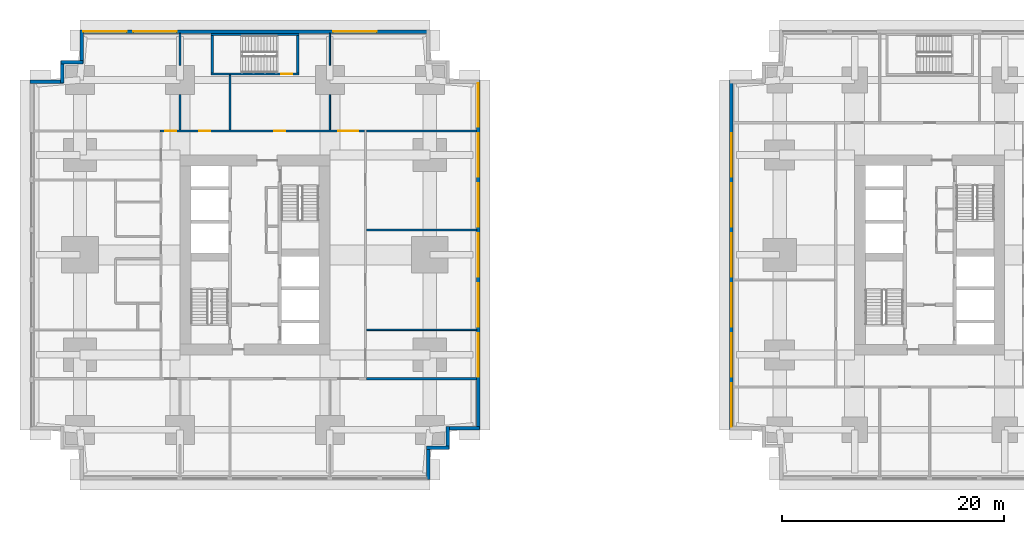
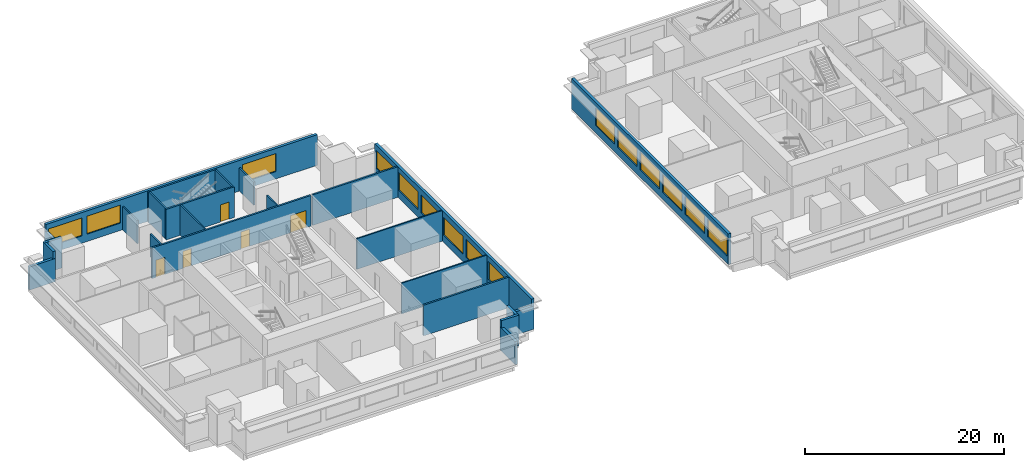
# One storey, part 5 of 12: 25 walls, 15 windows, 5 doors, 20 openings.
"""IFC4 building model written with IfcOpenShell, lengths in metres."""

from ifc_helpers import new_model, si_unit, direction, frame, frame_2d, origin, place, context, subcontext, project, spatial, rectangle, extrude, material, layer, layer_set, type_object, element, fill, save


model = new_model("IFC4")

# Units and contexts
model_context = context("Model", 3, precision=1e-05, world=origin(), true_north=direction((0.0, 1.0)))
body_context = subcontext(model_context, "Body", "Model", "MODEL_VIEW")
ifc_project = project(units=[si_unit("LENGTHUNIT", "METRE"), si_unit("AREAUNIT", "SQUARE_METRE"), si_unit("VOLUMEUNIT", "CUBIC_METRE"), si_unit("PLANEANGLEUNIT", "RADIAN"), si_unit("MASSUNIT", "GRAM", prefix="KILO")], contexts=[model_context])

# Site, building, storey
site_placement = place(None, origin())
site = spatial("IfcSite", under=ifc_project, at=site_placement, CompositionType="ELEMENT")
building_placement = place(site_placement, origin())
building = spatial("IfcBuilding", under=site, at=building_placement, Name="Namib Vertical Campus", CompositionType="ELEMENT")
storey_placement = place(building_placement, frame((0.0, 0.0, 45.0)))
storey = spatial("IfcBuildingStorey", under=building, at=storey_placement, Name="L10", CompositionType="ELEMENT", Elevation=45.0)

# Wall, openings, doors
ifc_material_1 = material(Name="Concrete masonry", Category="masonry")
ifc_layer_1 = layer(ifc_material_1, 0.199951171875)
ifc_layer_set_1 = layer_set([ifc_layer_1], Name="Corridor wall 200")
wall_type_1 = type_object("IfcWallType", Name="Corridor wall 200", PredefinedType="SOLIDWALL", material=ifc_layer_set_1)
wall_1_placement = place(storey_placement, frame((30.10009765625, 31.39990234375, 0.0), z_axis=(0.0, 0.0, 1.0), x_axis=(-1.0, 0.0, 0.0)))
wall_1 = element("IfcWall", 1, at=wall_1_placement, inside=storey, type_object=wall_type_1, Name="Corridor wall A L10 CN", PredefinedType="SOLIDWALL", context=body_context, shape_type="SweptSolid", body=[
    extrude(rectangle(XDim=18.400146484375, YDim=0.199951171875, at=frame_2d((9.2001953125, 0.0))), origin(), (0.0, 0.0, 1.0), 3.75),
])
opening_1_placement = place(wall_1_placement, frame((16.925048828125, 0.0, 0.0)))
opening_1 = element("IfcOpeningElement", 2, at=opening_1_placement, cuts=wall_1, Name="Opening CD1", PredefinedType="OPENING", context=body_context, shape_type="SweptSolid", body=[
    extrude(rectangle(XDim=1.0, YDim=2.10009765625, at=frame_2d((0.5, 1.050048828125))), frame((0.0, 0.10986328125, 0.0), z_axis=(0.0, -1.0, 0.0), x_axis=(1.0, 0.0, 0.0)), (0.0, 0.0, 1.0), 0.219970703125),
])
opening_2_placement = place(wall_1_placement, frame((13.85009765625, 0.0, 0.0)))
opening_2 = element("IfcOpeningElement", 3, at=opening_2_placement, cuts=wall_1, Name="Opening CD1", PredefinedType="OPENING", context=body_context, shape_type="SweptSolid", body=[
    extrude(rectangle(XDim=1.0, YDim=2.10009765625, at=frame_2d((0.5, 1.050048828125))), frame((0.0, 0.10986328125, 0.0), z_axis=(0.0, -1.0, 0.0), x_axis=(1.0, 0.0, 0.0)), (0.0, 0.0, 1.0), 0.219970703125),
])
opening_3_placement = place(wall_1_placement, frame((7.10009765625, 0.0, 0.0)))
opening_3 = element("IfcOpeningElement", 4, at=opening_3_placement, cuts=wall_1, Name="Opening CD4", PredefinedType="OPENING", context=body_context, shape_type="SweptSolid", body=[
    extrude(rectangle(XDim=1.0, YDim=2.10009765625, at=frame_2d((0.5, 1.050048828125))), frame((0.0, 0.10986328125, 0.0), z_axis=(0.0, -1.0, 0.0), x_axis=(1.0, 0.0, 0.0)), (0.0, 0.0, 1.0), 0.219970703125),
])
opening_4_placement = place(wall_1_placement, frame((0.550048828125, 0.0, 0.0)))
opening_4 = element("IfcOpeningElement", 5, at=opening_4_placement, cuts=wall_1, Name="Opening CD2", PredefinedType="OPENING", context=body_context, shape_type="SweptSolid", body=[
    extrude(rectangle(XDim=1.800048828125, YDim=2.10009765625, at=frame_2d((0.89990234375, 1.050048828125))), frame((0.0, 0.10986328125, 0.0), z_axis=(0.0, -1.0, 0.0), x_axis=(1.0, 0.0, 0.0)), (0.0, 0.0, 1.0), 0.219970703125),
])
ifc_material_2 = material(Name="Timber fire door leaf", Category="wood")
door_type_1 = type_object("IfcDoorType", Name="Corridor door 1000x2100 20 min", OperationType="SINGLE_SWING_LEFT", PredefinedType="DOOR", material=ifc_material_2)
door_1_placement = place(opening_1_placement, frame((1.0, 0.0, 0.0), z_axis=(0.0, 0.0, 1.0), x_axis=(-1.0, 0.0, 0.0)))
door_1 = element("IfcDoor", 6, at=door_1_placement, inside=storey, type_object=door_type_1, Name="Door CD1 A10-08", OperationType="SINGLE_SWING_RIGHT", OverallHeight=2.10009765625, OverallWidth=1.0, PredefinedType="DOOR", context=body_context, shape_type="SweptSolid", body=[
    extrude(rectangle(XDim=1.0, YDim=2.10009765625, at=frame_2d((0.5, 1.050048828125))), frame((0.0, 0.02490234375, 0.0), z_axis=(0.0, -1.0, 0.0), x_axis=(1.0, 0.0, 0.0)), (0.0, 0.0, 1.0), 0.050048828125),
])
fill(opening_1, door_1)
door_2_placement = place(opening_2_placement, frame((1.0, 0.0, 0.0), z_axis=(0.0, 0.0, 1.0), x_axis=(-1.0, 0.0, 0.0)))
door_2 = element("IfcDoor", 7, at=door_2_placement, inside=storey, type_object=door_type_1, Name="Door CD1 A10-09", OperationType="SINGLE_SWING_RIGHT", OverallHeight=2.10009765625, OverallWidth=1.0, PredefinedType="DOOR", context=body_context, shape_type="SweptSolid", body=[
    extrude(rectangle(XDim=1.0, YDim=2.10009765625, at=frame_2d((0.5, 1.050048828125))), frame((0.0, 0.02490234375, 0.0), z_axis=(0.0, -1.0, 0.0), x_axis=(1.0, 0.0, 0.0)), (0.0, 0.0, 1.0), 0.050048828125),
])
fill(opening_2, door_2)
ifc_material_3 = material(Name="Timber fire door leaf", Category="wood")
door_type_2 = type_object("IfcDoorType", Name="Corridor door 1000x2100 20 min double-acting", OperationType="DOUBLE_SWING_LEFT", PredefinedType="DOOR", material=ifc_material_3)
door_3_placement = place(opening_3_placement, origin())
door_3 = element("IfcDoor", 8, at=door_3_placement, inside=storey, type_object=door_type_2, Name="Door CD4 A10-10", OperationType="DOUBLE_SWING_LEFT", OverallHeight=2.10009765625, OverallWidth=1.0, PredefinedType="DOOR", context=body_context, shape_type="SweptSolid", body=[
    extrude(rectangle(XDim=1.0, YDim=2.10009765625, at=frame_2d((0.5, 1.050048828125))), frame((0.0, 0.02490234375, 0.0), z_axis=(0.0, -1.0, 0.0), x_axis=(1.0, 0.0, 0.0)), (0.0, 0.0, 1.0), 0.050048828125),
])
fill(opening_3, door_3)
ifc_material_4 = material(Name="Timber fire door leaf", Category="wood")
door_type_3 = type_object("IfcDoorType", Name="Corridor door double 1800x2100 20 min", OperationType="DOUBLE_DOOR_SINGLE_SWING", PredefinedType="DOOR", material=ifc_material_4)
door_4_placement = place(opening_4_placement, frame((1.800048828125, 0.0, 0.0), z_axis=(0.0, 0.0, 1.0), x_axis=(-1.0, 0.0, 0.0)))
door_4 = element("IfcDoor", 9, at=door_4_placement, inside=storey, type_object=door_type_3, Name="Door CD2 A10-11", OperationType="DOUBLE_DOOR_SINGLE_SWING", OverallHeight=2.10009765625, OverallWidth=1.800048828125, PredefinedType="DOOR", context=body_context, shape_type="SweptSolid", body=[
    extrude(rectangle(XDim=1.800048828125, YDim=2.10009765625, at=frame_2d((0.89990234375, 1.050048828125))), frame((0.0, 0.02490234375, 0.0), z_axis=(0.0, -1.0, 0.0), x_axis=(1.0, 0.0, 0.0)), (0.0, 0.0, 1.0), 0.050048828125),
])
fill(opening_4, door_4)

# Walls
for number, where, z_axis, x_axis, name in (
    (10, (30.300048828125, 9.10009765625, 0.0), (0.0, 0.0, 1.0), (1.0, 0.0, 0.0), "Partition A L10 BSE"),
    (11, (30.300048828125, 31.39990234375, 0.0), (0.0, 0.0, 1.0), (1.0, 0.0, 0.0), "Partition A L10 BNE"),
):
    element("IfcWall", number, at=place(storey_placement, frame(where, z_axis=z_axis, x_axis=x_axis)), inside=storey, type_object=wall_type_1, Name=name, PredefinedType="SOLIDWALL", context=body_context, shape_type="SweptSolid", body=[
        extrude(rectangle(XDim=9.89990234375, YDim=0.199951171875, at=frame_2d((4.949951171875, 0.0))), origin(), (0.0, 0.0, 1.0), 3.75),
    ])
ifc_material_5 = material(Name="Concrete C40/50", Category="concrete")
ifc_layer_2 = layer(ifc_material_5, 0.300048828125)
ifc_layer_set_2 = layer_set([ifc_layer_2], Name="Concrete C40/50")
wall_type_2 = type_object("IfcWallType", Name="External wall 300 board-marked concrete", PredefinedType="STANDARD", material=ifc_layer_set_2)
wall_2_placement = place(storey_placement, frame((35.85009765625, 0.02001953125, 0.0), z_axis=(0.0, 0.0, 1.0), x_axis=(0.0, 1.0, 0.0)))
element("IfcWall", 12, at=wall_2_placement, inside=storey, type_object=wall_type_2, Name="External wall L10 F02", PredefinedType="STANDARD", context=body_context, shape_type="SweptSolid", body=[
    extrude(rectangle(XDim=3.010009765625, YDim=0.300048828125, at=frame_2d((1.5048828125, 0.0))), origin(), (0.0, 0.0, 1.0), 2.85009765625),
])
for number, where, z_axis, x_axis, name in (
    (13, (35.719970703125, 2.89990234375, 0.0), (0.0, 0.0, 1.0), (1.0, 0.0, 0.0), "External wall L10 F03"),
    (14, (37.60009765625, 2.77001953125, 0.0), (0.0, 0.0, 1.0), (0.0, 1.0, 0.0), "External wall L10 F04"),
):
    element("IfcWall", number, at=place(storey_placement, frame(where, z_axis=z_axis, x_axis=x_axis)), inside=storey, type_object=wall_type_2, Name=name, PredefinedType="STANDARD", context=body_context, shape_type="SweptSolid", body=[
        extrude(rectangle(XDim=2.010009765625, YDim=0.300048828125, at=frame_2d((1.0048828125, 0.0))), origin(), (0.0, 0.0, 1.0), 3.75),
    ])
wall_3_placement = place(storey_placement, frame((37.469970703125, 4.64990234375, 0.0), z_axis=(0.0, 0.0, 1.0), x_axis=(1.0, 0.0, 0.0)))
element("IfcWall", 15, at=wall_3_placement, inside=storey, type_object=wall_type_2, Name="External wall L10 F05", PredefinedType="STANDARD", context=body_context, shape_type="SweptSolid", body=[
    extrude(rectangle(XDim=3.010009765625, YDim=0.300048828125, at=frame_2d((1.5048828125, 0.0))), origin(), (0.0, 0.0, 1.0), 2.85009765625),
])

# Wall, openings, windows
wall_4_placement = place(storey_placement, frame((40.35009765625, 4.52001953125, 0.0), z_axis=(0.0, 0.0, 1.0), x_axis=(0.0, 1.0, 0.0)))
wall_4 = element("IfcWall", 16, at=wall_4_placement, inside=storey, type_object=wall_type_2, Name="External wall L10 F06", PredefinedType="STANDARD", context=body_context, shape_type="SweptSolid", body=[
    extrude(rectangle(XDim=31.4599609375, YDim=0.300048828125, at=frame_2d((15.72998046875, 0.0))), origin(), (0.0, 0.0, 1.0), 3.75),
])
opening_5_placement = place(wall_4_placement, frame((4.780029296875, 0.0, 0.89990234375)))
opening_5 = element("IfcOpeningElement", 17, at=opening_5_placement, cuts=wall_4, Name="Opening W1", PredefinedType="OPENING", context=body_context, shape_type="SweptSolid", body=[
    extrude(rectangle(XDim=3.89990234375, YDim=2.199951171875, at=frame_2d((1.949951171875, 1.10009765625))), frame((0.0, 0.159912109375, 0.0), z_axis=(0.0, -1.0, 0.0), x_axis=(1.0, 0.0, 0.0)), (0.0, 0.0, 1.0), 0.320068359375),
])
opening_6_placement = place(wall_4_placement, frame((9.280029296875, 0.0, 0.89990234375)))
opening_6 = element("IfcOpeningElement", 18, at=opening_6_placement, cuts=wall_4, Name="Opening W1", PredefinedType="OPENING", context=body_context, shape_type="SweptSolid", body=[
    extrude(rectangle(XDim=3.89990234375, YDim=2.199951171875, at=frame_2d((1.949951171875, 1.10009765625))), frame((0.0, 0.159912109375, 0.0), z_axis=(0.0, -1.0, 0.0), x_axis=(1.0, 0.0, 0.0)), (0.0, 0.0, 1.0), 0.320068359375),
])
opening_7_placement = place(wall_4_placement, frame((13.780029296875, 0.0, 0.89990234375)))
opening_7 = element("IfcOpeningElement", 19, at=opening_7_placement, cuts=wall_4, Name="Opening W1", PredefinedType="OPENING", context=body_context, shape_type="SweptSolid", body=[
    extrude(rectangle(XDim=3.89990234375, YDim=2.199951171875, at=frame_2d((1.949951171875, 1.10009765625))), frame((0.0, 0.159912109375, 0.0), z_axis=(0.0, -1.0, 0.0), x_axis=(1.0, 0.0, 0.0)), (0.0, 0.0, 1.0), 0.320068359375),
])
opening_8_placement = place(wall_4_placement, frame((18.280029296875, 0.0, 0.89990234375)))
opening_8 = element("IfcOpeningElement", 20, at=opening_8_placement, cuts=wall_4, Name="Opening W1", PredefinedType="OPENING", context=body_context, shape_type="SweptSolid", body=[
    extrude(rectangle(XDim=3.89990234375, YDim=2.199951171875, at=frame_2d((1.949951171875, 1.10009765625))), frame((0.0, 0.159912109375, 0.0), z_axis=(0.0, -1.0, 0.0), x_axis=(1.0, 0.0, 0.0)), (0.0, 0.0, 1.0), 0.320068359375),
])
opening_9_placement = place(wall_4_placement, frame((22.780029296875, 0.0, 0.89990234375)))
opening_9 = element("IfcOpeningElement", 21, at=opening_9_placement, cuts=wall_4, Name="Opening W1", PredefinedType="OPENING", context=body_context, shape_type="SweptSolid", body=[
    extrude(rectangle(XDim=3.89990234375, YDim=2.199951171875, at=frame_2d((1.949951171875, 1.10009765625))), frame((0.0, 0.159912109375, 0.0), z_axis=(0.0, -1.0, 0.0), x_axis=(1.0, 0.0, 0.0)), (0.0, 0.0, 1.0), 0.320068359375),
])
opening_10_placement = place(wall_4_placement, frame((27.280029296875, 0.0, 0.89990234375)))
opening_10 = element("IfcOpeningElement", 22, at=opening_10_placement, cuts=wall_4, Name="Opening W1", PredefinedType="OPENING", context=body_context, shape_type="SweptSolid", body=[
    extrude(rectangle(XDim=3.89990234375, YDim=2.199951171875, at=frame_2d((1.949951171875, 1.10009765625))), frame((0.0, 0.159912109375, 0.0), z_axis=(0.0, -1.0, 0.0), x_axis=(1.0, 0.0, 0.0)), (0.0, 0.0, 1.0), 0.320068359375),
])
ifc_material_6 = material(Name="Dark tinted glass in black aluminium frame", Category="aluminium")
window_type = type_object("IfcWindowType", Name="Ribbon window 3900x2200", PartitioningType="SINGLE_PANEL", PredefinedType="WINDOW", material=ifc_material_6)
window_1_placement = place(opening_5_placement, origin())
window_1 = element("IfcWindow", 23, at=window_1_placement, inside=storey, type_object=window_type, Name="Window W1 L10 F06-2", OverallHeight=2.199951171875, OverallWidth=3.89990234375, PartitioningType="SINGLE_PANEL", PredefinedType="WINDOW", context=body_context, shape_type="SweptSolid", body=[
    extrude(rectangle(XDim=3.89990234375, YDim=2.199951171875, at=frame_2d((1.949951171875, 1.10009765625))), frame((0.0, 0.030029296875, 0.0), z_axis=(0.0, -1.0, 0.0), x_axis=(1.0, 0.0, 0.0)), (0.0, 0.0, 1.0), 0.06005859375),
])
fill(opening_5, window_1)
window_2_placement = place(opening_6_placement, origin())
window_2 = element("IfcWindow", 24, at=window_2_placement, inside=storey, type_object=window_type, Name="Window W1 L10 F06-3", OverallHeight=2.199951171875, OverallWidth=3.89990234375, PartitioningType="SINGLE_PANEL", PredefinedType="WINDOW", context=body_context, shape_type="SweptSolid", body=[
    extrude(rectangle(XDim=3.89990234375, YDim=2.199951171875, at=frame_2d((1.949951171875, 1.10009765625))), frame((0.0, 0.030029296875, 0.0), z_axis=(0.0, -1.0, 0.0), x_axis=(1.0, 0.0, 0.0)), (0.0, 0.0, 1.0), 0.06005859375),
])
fill(opening_6, window_2)
window_3_placement = place(opening_7_placement, origin())
window_3 = element("IfcWindow", 25, at=window_3_placement, inside=storey, type_object=window_type, Name="Window W1 L10 F06-4", OverallHeight=2.199951171875, OverallWidth=3.89990234375, PartitioningType="SINGLE_PANEL", PredefinedType="WINDOW", context=body_context, shape_type="SweptSolid", body=[
    extrude(rectangle(XDim=3.89990234375, YDim=2.199951171875, at=frame_2d((1.949951171875, 1.10009765625))), frame((0.0, 0.030029296875, 0.0), z_axis=(0.0, -1.0, 0.0), x_axis=(1.0, 0.0, 0.0)), (0.0, 0.0, 1.0), 0.06005859375),
])
fill(opening_7, window_3)
window_4_placement = place(opening_8_placement, origin())
window_4 = element("IfcWindow", 26, at=window_4_placement, inside=storey, type_object=window_type, Name="Window W1 L10 F06-5", OverallHeight=2.199951171875, OverallWidth=3.89990234375, PartitioningType="SINGLE_PANEL", PredefinedType="WINDOW", context=body_context, shape_type="SweptSolid", body=[
    extrude(rectangle(XDim=3.89990234375, YDim=2.199951171875, at=frame_2d((1.949951171875, 1.10009765625))), frame((0.0, 0.030029296875, 0.0), z_axis=(0.0, -1.0, 0.0), x_axis=(1.0, 0.0, 0.0)), (0.0, 0.0, 1.0), 0.06005859375),
])
fill(opening_8, window_4)
window_5_placement = place(opening_9_placement, origin())
window_5 = element("IfcWindow", 27, at=window_5_placement, inside=storey, type_object=window_type, Name="Window W1 L10 F06-6", OverallHeight=2.199951171875, OverallWidth=3.89990234375, PartitioningType="SINGLE_PANEL", PredefinedType="WINDOW", context=body_context, shape_type="SweptSolid", body=[
    extrude(rectangle(XDim=3.89990234375, YDim=2.199951171875, at=frame_2d((1.949951171875, 1.10009765625))), frame((0.0, 0.030029296875, 0.0), z_axis=(0.0, -1.0, 0.0), x_axis=(1.0, 0.0, 0.0)), (0.0, 0.0, 1.0), 0.06005859375),
])
fill(opening_9, window_5)
window_6_placement = place(opening_10_placement, origin())
window_6 = element("IfcWindow", 28, at=window_6_placement, inside=storey, type_object=window_type, Name="Window W1 L10 F06-7", OverallHeight=2.199951171875, OverallWidth=3.89990234375, PartitioningType="SINGLE_PANEL", PredefinedType="WINDOW", context=body_context, shape_type="SweptSolid", body=[
    extrude(rectangle(XDim=3.89990234375, YDim=2.199951171875, at=frame_2d((1.949951171875, 1.10009765625))), frame((0.0, 0.030029296875, 0.0), z_axis=(0.0, -1.0, 0.0), x_axis=(1.0, 0.0, 0.0)), (0.0, 0.0, 1.0), 0.06005859375),
])
fill(opening_10, window_6)

wall_5_placement = place(storey_placement, frame((35.97998046875, 40.35009765625, 0.0), z_axis=(0.0, 0.0, 1.0), x_axis=(-1.0, 0.0, 0.0)))
wall_5 = element("IfcWall", 29, at=wall_5_placement, inside=storey, type_object=wall_type_2, Name="External wall L10 F11", PredefinedType="STANDARD", context=body_context, shape_type="SweptSolid", body=[
    extrude(rectangle(XDim=31.4599609375, YDim=0.300048828125, at=frame_2d((15.72998046875, 0.0))), origin(), (0.0, 0.0, 1.0), 3.75),
])
opening_11_placement = place(wall_5_placement, frame((27.280029296875, 0.0, 0.89990234375)))
opening_11 = element("IfcOpeningElement", 30, at=opening_11_placement, cuts=wall_5, Name="Opening W1", PredefinedType="OPENING", context=body_context, shape_type="SweptSolid", body=[
    extrude(rectangle(XDim=3.89990234375, YDim=2.199951171875, at=frame_2d((1.949951171875, 1.10009765625))), frame((0.0, 0.159912109375, 0.0), z_axis=(0.0, -1.0, 0.0), x_axis=(1.0, 0.0, 0.0)), (0.0, 0.0, 1.0), 0.320068359375),
])
opening_12_placement = place(wall_5_placement, frame((22.780029296875, 0.0, 0.89990234375)))
opening_12 = element("IfcOpeningElement", 31, at=opening_12_placement, cuts=wall_5, Name="Opening W1", PredefinedType="OPENING", context=body_context, shape_type="SweptSolid", body=[
    extrude(rectangle(XDim=3.89990234375, YDim=2.199951171875, at=frame_2d((1.949951171875, 1.10009765625))), frame((0.0, 0.159912109375, 0.0), z_axis=(0.0, -1.0, 0.0), x_axis=(1.0, 0.0, 0.0)), (0.0, 0.0, 1.0), 0.320068359375),
])
opening_13_placement = place(wall_5_placement, frame((4.780029296875, 0.0, 0.89990234375)))
opening_13 = element("IfcOpeningElement", 32, at=opening_13_placement, cuts=wall_5, Name="Opening W1", PredefinedType="OPENING", context=body_context, shape_type="SweptSolid", body=[
    extrude(rectangle(XDim=3.89990234375, YDim=2.199951171875, at=frame_2d((1.949951171875, 1.10009765625))), frame((0.0, 0.159912109375, 0.0), z_axis=(0.0, -1.0, 0.0), x_axis=(1.0, 0.0, 0.0)), (0.0, 0.0, 1.0), 0.320068359375),
])
window_7_placement = place(opening_11_placement, origin())
window_7 = element("IfcWindow", 33, at=window_7_placement, inside=storey, type_object=window_type, Name="Window W1 L10 F11-1", OverallHeight=2.199951171875, OverallWidth=3.89990234375, PartitioningType="SINGLE_PANEL", PredefinedType="WINDOW", context=body_context, shape_type="SweptSolid", body=[
    extrude(rectangle(XDim=3.89990234375, YDim=2.199951171875, at=frame_2d((1.949951171875, 1.10009765625))), frame((0.0, 0.030029296875, 0.0), z_axis=(0.0, -1.0, 0.0), x_axis=(1.0, 0.0, 0.0)), (0.0, 0.0, 1.0), 0.06005859375),
])
fill(opening_11, window_7)
window_8_placement = place(opening_12_placement, origin())
window_8 = element("IfcWindow", 34, at=window_8_placement, inside=storey, type_object=window_type, Name="Window W1 L10 F11-2", OverallHeight=2.199951171875, OverallWidth=3.89990234375, PartitioningType="SINGLE_PANEL", PredefinedType="WINDOW", context=body_context, shape_type="SweptSolid", body=[
    extrude(rectangle(XDim=3.89990234375, YDim=2.199951171875, at=frame_2d((1.949951171875, 1.10009765625))), frame((0.0, 0.030029296875, 0.0), z_axis=(0.0, -1.0, 0.0), x_axis=(1.0, 0.0, 0.0)), (0.0, 0.0, 1.0), 0.06005859375),
])
fill(opening_12, window_8)
window_9_placement = place(opening_13_placement, origin())
window_9 = element("IfcWindow", 35, at=window_9_placement, inside=storey, type_object=window_type, Name="Window W1 L10 F11-6", OverallHeight=2.199951171875, OverallWidth=3.89990234375, PartitioningType="SINGLE_PANEL", PredefinedType="WINDOW", context=body_context, shape_type="SweptSolid", body=[
    extrude(rectangle(XDim=3.89990234375, YDim=2.199951171875, at=frame_2d((1.949951171875, 1.10009765625))), frame((0.0, 0.030029296875, 0.0), z_axis=(0.0, -1.0, 0.0), x_axis=(1.0, 0.0, 0.0)), (0.0, 0.0, 1.0), 0.06005859375),
])
fill(opening_13, window_9)

# Walls
wall_6_placement = place(storey_placement, frame((4.64990234375, 40.47998046875, 0.0), z_axis=(0.0, 0.0, 1.0), x_axis=(0.0, -1.0, 0.0)))
element("IfcWall", 36, at=wall_6_placement, inside=storey, type_object=wall_type_2, Name="External wall L10 F12", PredefinedType="STANDARD", context=body_context, shape_type="SweptSolid", body=[
    extrude(rectangle(XDim=3.010009765625, YDim=0.300048828125, at=frame_2d((1.5048828125, 0.0))), origin(), (0.0, 0.0, 1.0), 2.85009765625),
])
for number, where, z_axis, x_axis, name in (
    (37, (4.780029296875, 37.60009765625, 0.0), (0.0, 0.0, 1.0), (-1.0, 0.0, 0.0), "External wall L10 F13"),
    (38, (2.89990234375, 37.72998046875, 0.0), (0.0, 0.0, 1.0), (0.0, -1.0, 0.0), "External wall L10 F14"),
):
    element("IfcWall", number, at=place(storey_placement, frame(where, z_axis=z_axis, x_axis=x_axis)), inside=storey, type_object=wall_type_2, Name=name, PredefinedType="STANDARD", context=body_context, shape_type="SweptSolid", body=[
        extrude(rectangle(XDim=2.010009765625, YDim=0.300048828125, at=frame_2d((1.0048828125, 0.0))), origin(), (0.0, 0.0, 1.0), 3.75),
    ])
wall_7_placement = place(storey_placement, frame((3.030029296875, 35.85009765625, 0.0), z_axis=(0.0, 0.0, 1.0), x_axis=(-1.0, 0.0, 0.0)))
element("IfcWall", 39, at=wall_7_placement, inside=storey, type_object=wall_type_2, Name="External wall L10 F15", PredefinedType="STANDARD", context=body_context, shape_type="SweptSolid", body=[
    extrude(rectangle(XDim=3.010009765625, YDim=0.300048828125, at=frame_2d((1.5048828125, 0.0))), origin(), (0.0, 0.0, 1.0), 2.85009765625),
])

# Wall, openings, windows
wall_8_placement = place(storey_placement, frame((63.14990234375, 35.97998046875, 0.0), z_axis=(0.0, 0.0, 1.0), x_axis=(0.0, -1.0, 0.0)))
wall_8 = element("IfcWall", 40, at=wall_8_placement, inside=storey, type_object=wall_type_2, Name="External wall L10 F16", PredefinedType="STANDARD", context=body_context, shape_type="SweptSolid", body=[
    extrude(rectangle(XDim=31.4599609375, YDim=0.300048828125, at=frame_2d((15.72998046875, 0.0))), origin(), (0.0, 0.0, 1.0), 3.75),
])
opening_14_placement = place(wall_8_placement, frame((27.280029296875, 0.0, 0.89990234375)))
opening_14 = element("IfcOpeningElement", 41, at=opening_14_placement, cuts=wall_8, Name="Opening W1", PredefinedType="OPENING", context=body_context, shape_type="SweptSolid", body=[
    extrude(rectangle(XDim=3.89990234375, YDim=2.199951171875, at=frame_2d((1.949951171875, 1.10009765625))), frame((0.0, 0.159912109375, 0.0), z_axis=(0.0, -1.0, 0.0), x_axis=(1.0, 0.0, 0.0)), (0.0, 0.0, 1.0), 0.320068359375),
])
opening_15_placement = place(wall_8_placement, frame((22.780029296875, 0.0, 0.89990234375)))
opening_15 = element("IfcOpeningElement", 42, at=opening_15_placement, cuts=wall_8, Name="Opening W1", PredefinedType="OPENING", context=body_context, shape_type="SweptSolid", body=[
    extrude(rectangle(XDim=3.89990234375, YDim=2.199951171875, at=frame_2d((1.949951171875, 1.10009765625))), frame((0.0, 0.159912109375, 0.0), z_axis=(0.0, -1.0, 0.0), x_axis=(1.0, 0.0, 0.0)), (0.0, 0.0, 1.0), 0.320068359375),
])
opening_16_placement = place(wall_8_placement, frame((18.280029296875, 0.0, 0.89990234375)))
opening_16 = element("IfcOpeningElement", 43, at=opening_16_placement, cuts=wall_8, Name="Opening W1", PredefinedType="OPENING", context=body_context, shape_type="SweptSolid", body=[
    extrude(rectangle(XDim=3.89990234375, YDim=2.199951171875, at=frame_2d((1.949951171875, 1.10009765625))), frame((0.0, 0.159912109375, 0.0), z_axis=(0.0, -1.0, 0.0), x_axis=(1.0, 0.0, 0.0)), (0.0, 0.0, 1.0), 0.320068359375),
])
opening_17_placement = place(wall_8_placement, frame((13.780029296875, 0.0, 0.89990234375)))
opening_17 = element("IfcOpeningElement", 44, at=opening_17_placement, cuts=wall_8, Name="Opening W1", PredefinedType="OPENING", context=body_context, shape_type="SweptSolid", body=[
    extrude(rectangle(XDim=3.89990234375, YDim=2.199951171875, at=frame_2d((1.949951171875, 1.10009765625))), frame((0.0, 0.159912109375, 0.0), z_axis=(0.0, -1.0, 0.0), x_axis=(1.0, 0.0, 0.0)), (0.0, 0.0, 1.0), 0.320068359375),
])
opening_18_placement = place(wall_8_placement, frame((9.280029296875, 0.0, 0.89990234375)))
opening_18 = element("IfcOpeningElement", 45, at=opening_18_placement, cuts=wall_8, Name="Opening W1", PredefinedType="OPENING", context=body_context, shape_type="SweptSolid", body=[
    extrude(rectangle(XDim=3.89990234375, YDim=2.199951171875, at=frame_2d((1.949951171875, 1.10009765625))), frame((0.0, 0.159912109375, 0.0), z_axis=(0.0, -1.0, 0.0), x_axis=(1.0, 0.0, 0.0)), (0.0, 0.0, 1.0), 0.320068359375),
])
opening_19_placement = place(wall_8_placement, frame((4.780029296875, 0.0, 0.89990234375)))
opening_19 = element("IfcOpeningElement", 46, at=opening_19_placement, cuts=wall_8, Name="Opening W1", PredefinedType="OPENING", context=body_context, shape_type="SweptSolid", body=[
    extrude(rectangle(XDim=3.89990234375, YDim=2.199951171875, at=frame_2d((1.949951171875, 1.10009765625))), frame((0.0, 0.159912109375, 0.0), z_axis=(0.0, -1.0, 0.0), x_axis=(1.0, 0.0, 0.0)), (0.0, 0.0, 1.0), 0.320068359375),
])
window_10_placement = place(opening_14_placement, origin())
window_10 = element("IfcWindow", 47, at=window_10_placement, inside=storey, type_object=window_type, Name="Window W1 L10 F16-1", OverallHeight=2.199951171875, OverallWidth=3.89990234375, PartitioningType="SINGLE_PANEL", PredefinedType="WINDOW", context=body_context, shape_type="SweptSolid", body=[
    extrude(rectangle(XDim=3.89990234375, YDim=2.199951171875, at=frame_2d((1.949951171875, 1.10009765625))), frame((0.0, 0.030029296875, 0.0), z_axis=(0.0, -1.0, 0.0), x_axis=(1.0, 0.0, 0.0)), (0.0, 0.0, 1.0), 0.06005859375),
])
fill(opening_14, window_10)
window_11_placement = place(opening_15_placement, origin())
window_11 = element("IfcWindow", 48, at=window_11_placement, inside=storey, type_object=window_type, Name="Window W1 L10 F16-2", OverallHeight=2.199951171875, OverallWidth=3.89990234375, PartitioningType="SINGLE_PANEL", PredefinedType="WINDOW", context=body_context, shape_type="SweptSolid", body=[
    extrude(rectangle(XDim=3.89990234375, YDim=2.199951171875, at=frame_2d((1.949951171875, 1.10009765625))), frame((0.0, 0.030029296875, 0.0), z_axis=(0.0, -1.0, 0.0), x_axis=(1.0, 0.0, 0.0)), (0.0, 0.0, 1.0), 0.06005859375),
])
fill(opening_15, window_11)
window_12_placement = place(opening_16_placement, origin())
window_12 = element("IfcWindow", 49, at=window_12_placement, inside=storey, type_object=window_type, Name="Window W1 L10 F16-3", OverallHeight=2.199951171875, OverallWidth=3.89990234375, PartitioningType="SINGLE_PANEL", PredefinedType="WINDOW", context=body_context, shape_type="SweptSolid", body=[
    extrude(rectangle(XDim=3.89990234375, YDim=2.199951171875, at=frame_2d((1.949951171875, 1.10009765625))), frame((0.0, 0.030029296875, 0.0), z_axis=(0.0, -1.0, 0.0), x_axis=(1.0, 0.0, 0.0)), (0.0, 0.0, 1.0), 0.06005859375),
])
fill(opening_16, window_12)
window_13_placement = place(opening_17_placement, origin())
window_13 = element("IfcWindow", 50, at=window_13_placement, inside=storey, type_object=window_type, Name="Window W1 L10 F16-4", OverallHeight=2.199951171875, OverallWidth=3.89990234375, PartitioningType="SINGLE_PANEL", PredefinedType="WINDOW", context=body_context, shape_type="SweptSolid", body=[
    extrude(rectangle(XDim=3.89990234375, YDim=2.199951171875, at=frame_2d((1.949951171875, 1.10009765625))), frame((0.0, 0.030029296875, 0.0), z_axis=(0.0, -1.0, 0.0), x_axis=(1.0, 0.0, 0.0)), (0.0, 0.0, 1.0), 0.06005859375),
])
fill(opening_17, window_13)
window_14_placement = place(opening_18_placement, origin())
window_14 = element("IfcWindow", 51, at=window_14_placement, inside=storey, type_object=window_type, Name="Window W1 L10 F16-5", OverallHeight=2.199951171875, OverallWidth=3.89990234375, PartitioningType="SINGLE_PANEL", PredefinedType="WINDOW", context=body_context, shape_type="SweptSolid", body=[
    extrude(rectangle(XDim=3.89990234375, YDim=2.199951171875, at=frame_2d((1.949951171875, 1.10009765625))), frame((0.0, 0.030029296875, 0.0), z_axis=(0.0, -1.0, 0.0), x_axis=(1.0, 0.0, 0.0)), (0.0, 0.0, 1.0), 0.06005859375),
])
fill(opening_18, window_14)
window_15_placement = place(opening_19_placement, origin())
window_15 = element("IfcWindow", 52, at=window_15_placement, inside=storey, type_object=window_type, Name="Window W1 L10 F16-6", OverallHeight=2.199951171875, OverallWidth=3.89990234375, PartitioningType="SINGLE_PANEL", PredefinedType="WINDOW", context=body_context, shape_type="SweptSolid", body=[
    extrude(rectangle(XDim=3.89990234375, YDim=2.199951171875, at=frame_2d((1.949951171875, 1.10009765625))), frame((0.0, 0.030029296875, 0.0), z_axis=(0.0, -1.0, 0.0), x_axis=(1.0, 0.0, 0.0)), (0.0, 0.0, 1.0), 0.06005859375),
])
fill(opening_19, window_15)

# Walls
ifc_material_7 = material(Name="Gypsum board on steel studs", Category="steel")
ifc_layer_3 = layer(ifc_material_7, 0.14990234375)
ifc_layer_set_3 = layer_set([ifc_layer_3], Name="Gypsum board on steel studs")
wall_type_3 = type_object("IfcWallType", Name="Partition 150", PredefinedType="PARTITIONING", material=ifc_layer_set_3)
wall_9_placement = place(storey_placement, frame((13.5, 31.5, 0.0), z_axis=(0.0, 0.0, 1.0), x_axis=(0.0, 1.0, 0.0)))
element("IfcWall", 53, at=wall_9_placement, inside=storey, type_object=wall_type_3, Name="Partition A L10 PN1", PredefinedType="PARTITIONING", context=body_context, shape_type="SweptSolid", body=[
    extrude(rectangle(XDim=3.179931640625, YDim=0.14990234375, at=frame_2d((1.58984375, 0.0))), origin(), (0.0, 0.0, 1.0), 2.85009765625),
])
wall_10_placement = place(storey_placement, frame((13.5, 37.320068359375, 0.0), z_axis=(0.0, 0.0, 1.0), x_axis=(0.0, 1.0, 0.0)))
element("IfcWall", 54, at=wall_10_placement, inside=storey, type_object=wall_type_3, Name="Partition A L10 PN1", PredefinedType="PARTITIONING", context=body_context, shape_type="SweptSolid", body=[
    extrude(rectangle(XDim=2.8798828125, YDim=0.14990234375, at=frame_2d((1.43994140625, 0.0))), origin(), (0.0, 0.0, 1.0), 2.85009765625),
])
wall_11_placement = place(storey_placement, frame((18.0, 31.5, 0.0), z_axis=(0.0, 0.0, 1.0), x_axis=(0.0, 1.0, 0.0)))
element("IfcWall", 55, at=wall_11_placement, inside=storey, type_object=wall_type_3, Name="Partition A L10 PN2", PredefinedType="PARTITIONING", context=body_context, shape_type="SweptSolid", body=[
    extrude(rectangle(XDim=4.949951171875, YDim=0.14990234375, at=frame_2d((2.47509765625, 0.0))), origin(), (0.0, 0.0, 1.0), 3.75),
])
wall_12_placement = place(storey_placement, frame((27.0, 31.5, 0.0), z_axis=(0.0, 0.0, 1.0), x_axis=(0.0, 1.0, 0.0)))
element("IfcWall", 56, at=wall_12_placement, inside=storey, type_object=wall_type_3, Name="Partition A L10 PN3", PredefinedType="PARTITIONING", context=body_context, shape_type="SweptSolid", body=[
    extrude(rectangle(XDim=3.179931640625, YDim=0.14990234375, at=frame_2d((1.58984375, 0.0))), origin(), (0.0, 0.0, 1.0), 2.85009765625),
])
wall_13_placement = place(storey_placement, frame((27.0, 37.320068359375, 0.0), z_axis=(0.0, 0.0, 1.0), x_axis=(0.0, 1.0, 0.0)))
element("IfcWall", 57, at=wall_13_placement, inside=storey, type_object=wall_type_3, Name="Partition A L10 PN3", PredefinedType="PARTITIONING", context=body_context, shape_type="SweptSolid", body=[
    extrude(rectangle(XDim=2.8798828125, YDim=0.14990234375, at=frame_2d((1.43994140625, 0.0))), origin(), (0.0, 0.0, 1.0), 2.85009765625),
])
for number, where, z_axis, x_axis, name in (
    (58, (30.300048828125, 13.5, 0.0), (0.0, 0.0, 1.0), (1.0, 0.0, 0.0), "Partition A L10 PE1"),
    (59, (30.300048828125, 22.5, 0.0), (0.0, 0.0, 1.0), (1.0, 0.0, 0.0), "Partition A L10 PE2"),
):
    element("IfcWall", number, at=place(storey_placement, frame(where, z_axis=z_axis, x_axis=x_axis)), inside=storey, type_object=wall_type_3, Name=name, PredefinedType="PARTITIONING", context=body_context, shape_type="SweptSolid", body=[
        extrude(rectangle(XDim=9.89990234375, YDim=0.14990234375, at=frame_2d((4.949951171875, 0.0))), origin(), (0.0, 0.0, 1.0), 3.75),
    ])

# Wall, opening, door
ifc_material_8 = material(Name="Concrete C40/50", Category="concrete")
ifc_layer_4 = layer(ifc_material_8, 0.199951171875)
ifc_layer_set_4 = layer_set([ifc_layer_4], Name="Concrete C40/50")
wall_type_4 = type_object("IfcWallType", Name="Stair enclosure wall RC 200", PredefinedType="SOLIDWALL", material=ifc_layer_set_4)
wall_14_placement = place(storey_placement, frame((16.300048828125, 36.550048828125, 0.0), z_axis=(0.0, 0.0, 1.0), x_axis=(1.0, 0.0, 0.0)))
wall_14 = element("IfcWall", 60, at=wall_14_placement, inside=storey, type_object=wall_type_4, Name="Stair enclosure wall A-S3 L10 S", PredefinedType="SOLIDWALL", context=body_context, shape_type="SweptSolid", body=[
    extrude(rectangle(XDim=7.89990234375, YDim=0.199951171875, at=frame_2d((3.949951171875, 0.0))), origin(), (0.0, 0.0, 1.0), 3.75),
])
opening_20_placement = place(wall_14_placement, frame((6.300048828125, 0.0, 0.0)))
opening_20 = element("IfcOpeningElement", 61, at=opening_20_placement, cuts=wall_14, Name="Opening FD1", PredefinedType="OPENING", context=body_context, shape_type="SweptSolid", body=[
    extrude(rectangle(XDim=1.0, YDim=2.10009765625, at=frame_2d((0.5, 1.050048828125))), frame((0.0, 0.10986328125, 0.0), z_axis=(0.0, -1.0, 0.0), x_axis=(1.0, 0.0, 0.0)), (0.0, 0.0, 1.0), 0.219970703125),
])
ifc_material_9 = material(Name="Steel fire door", Category="steel")
door_type_4 = type_object("IfcDoorType", Name="Fire door 1000x2100", OperationType="SINGLE_SWING_RIGHT", PredefinedType="DOOR", material=ifc_material_9)
door_5_placement = place(opening_20_placement, origin())
door_5 = element("IfcDoor", 62, at=door_5_placement, inside=storey, type_object=door_type_4, Name="Stair door FD1 A L10 S3", OperationType="SINGLE_SWING_RIGHT", OverallHeight=2.10009765625, OverallWidth=1.0, PredefinedType="DOOR", context=body_context, shape_type="SweptSolid", body=[
    extrude(rectangle(XDim=1.0, YDim=2.10009765625, at=frame_2d((0.5, 1.050048828125))), frame((0.0, 0.02490234375, 0.0), z_axis=(0.0, -1.0, 0.0), x_axis=(1.0, 0.0, 0.0)), (0.0, 0.0, 1.0), 0.050048828125),
])
fill(opening_20, door_5)

# Walls
wall_15_placement = place(storey_placement, frame((16.300048828125, 40.10009765625, 0.0), z_axis=(0.0, 0.0, 1.0), x_axis=(1.0, 0.0, 0.0)))
element("IfcWall", 63, at=wall_15_placement, inside=storey, type_object=wall_type_4, Name="Stair enclosure wall A-S3 L10 N", PredefinedType="SOLIDWALL", context=body_context, shape_type="SweptSolid", body=[
    extrude(rectangle(XDim=7.89990234375, YDim=0.199951171875, at=frame_2d((3.949951171875, 0.0))), origin(), (0.0, 0.0, 1.0), 3.75),
])
for number, where, z_axis, x_axis, name in (
    (64, (16.39990234375, 36.64990234375, 0.0), (0.0, 0.0, 1.0), (0.0, 1.0, 0.0), "Stair enclosure wall A-S3 L10 W"),
    (65, (24.10009765625, 36.64990234375, 0.0), (0.0, 0.0, 1.0), (0.0, 1.0, 0.0), "Stair enclosure wall A-S3 L10 E"),
):
    element("IfcWall", number, at=place(storey_placement, frame(where, z_axis=z_axis, x_axis=x_axis)), inside=storey, type_object=wall_type_4, Name=name, PredefinedType="SOLIDWALL", context=body_context, shape_type="SweptSolid", body=[
        extrude(rectangle(XDim=3.35009765625, YDim=0.199951171875, at=frame_2d((1.675048828125, 0.0))), origin(), (0.0, 0.0, 1.0), 3.75),
    ])

save(model, "model.ifc")
